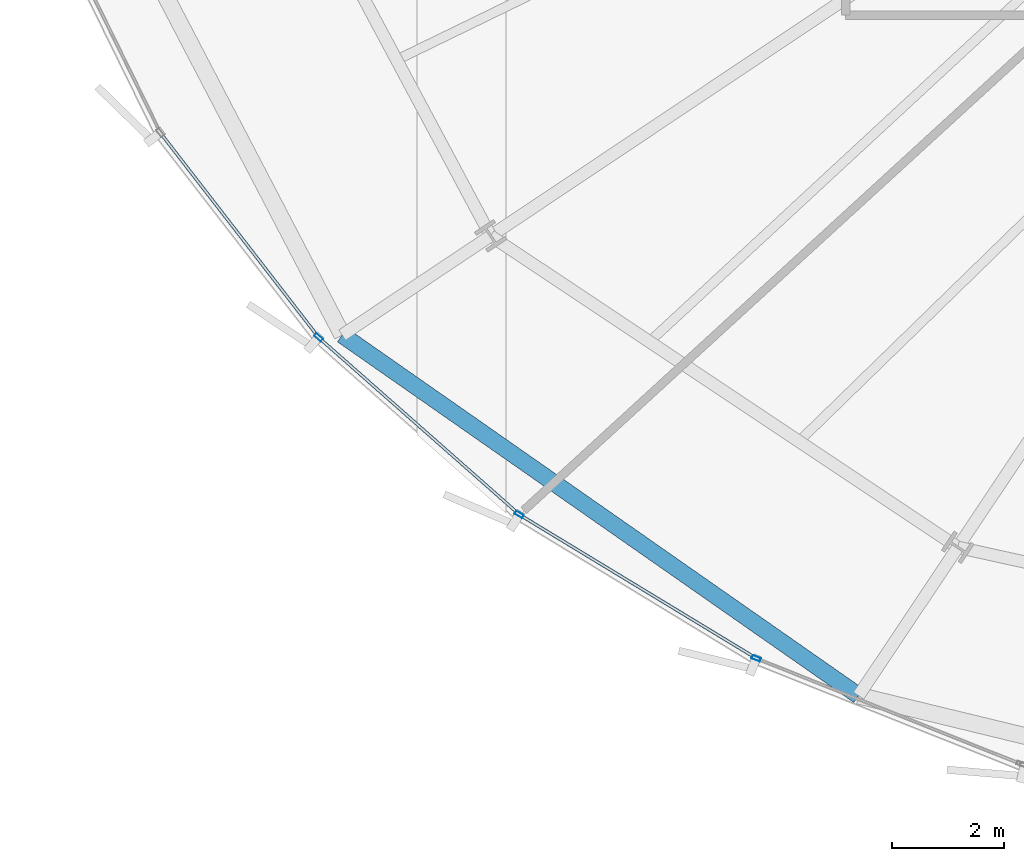
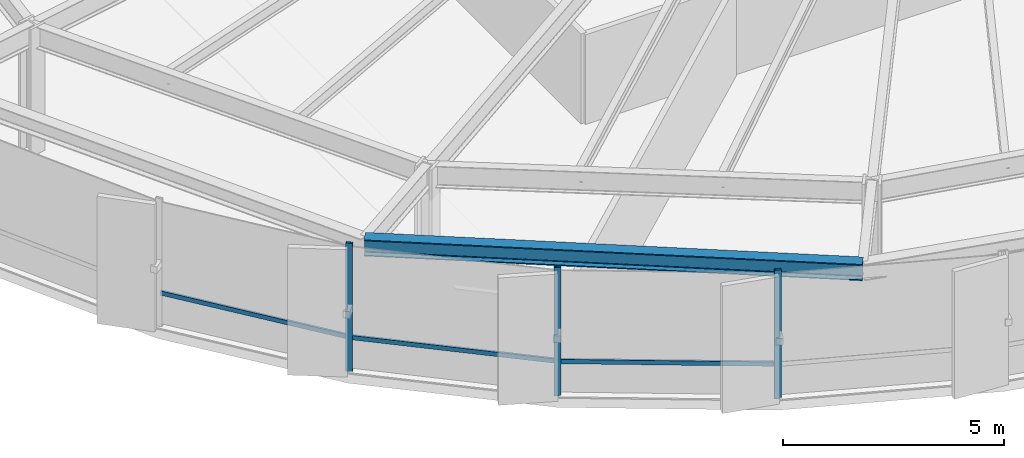
# One storey, part 2 of 38: 6 members, 1 beam, 1 element without a shape of its own.
"""IFC4 building model written with IfcOpenShell, lengths in metres."""

from ifc_helpers import new_model, si_unit, direction, frame, origin, origin_2d, place, context, subcontext, project, spatial, hollow_rectangle, i_section, extrude, source, transform, mapped, material, layer, layer_set, material_profile, profile_set, type_object, element, aggregate, save


model = new_model("IFC4")

# Units and contexts
model_context = context("Model", 3, precision=1e-05, world=origin(), true_north=direction((0.0, 1.0)))
body_context = subcontext(model_context, "Body", "Model", "MODEL_VIEW")
ifc_project = project(units=[si_unit("LENGTHUNIT", "METRE"), si_unit("AREAUNIT", "SQUARE_METRE"), si_unit("VOLUMEUNIT", "CUBIC_METRE"), si_unit("PLANEANGLEUNIT", "RADIAN"), si_unit("MASSUNIT", "GRAM", prefix="KILO"), si_unit("THERMODYNAMICTEMPERATUREUNIT", "KELVIN")], contexts=[model_context])

# Site, building, storey
site_placement = place(None, origin())
site = spatial("IfcSite", under=ifc_project, at=site_placement, CompositionType="ELEMENT")
building_placement = place(site_placement, origin())
building = spatial("IfcBuilding", under=site, at=building_placement, Name="Kethvar Cultural Tower", CompositionType="ELEMENT")
storey_placement = place(building_placement, frame((0.0, 0.0, 63.800048828125)))
storey = spatial("IfcBuildingStorey", under=building, at=storey_placement, Name="L15", CompositionType="ELEMENT", Elevation=63.800048828125)

# Beam
ifc_material_1 = material(Name="Steel S355J2", Category="steel")
ifc_material_profile_1 = material_profile(ifc_material_1, i_section(OverallWidth=0.300048828125, OverallDepth=0.449951171875, WebThickness=0.013916015625, FlangeThickness=0.02587890625, FilletRadius=0.027099609375, at=origin_2d()), Name="Steel S355J2 — HEB450")
ifc_profile_set_1 = profile_set([ifc_material_profile_1], Name="Steel S355J2 — HEB450")
beam_type = type_object("IfcBeamType", Name="BM-SP450", PredefinedType="SPANDREL", material=ifc_profile_set_1)
shared_shape_1 = source(origin(), body_context, "Body", "SweptSolid", [
    extrude(i_section(OverallWidth=0.300048828125, OverallDepth=0.449951171875, WebThickness=0.013916015625, FlangeThickness=0.02587890625, FilletRadius=0.027099609375, at=origin_2d()), origin(), (0.0, 0.0, 1.0), 11.295166015625),
])
beam_placement = place(storey_placement, frame((22.263916015625, 11.405517578125, 3.322998046875), z_axis=(0.819850874587, -0.572577106981, 0.0), x_axis=(0.572577106981, 0.819850874587, 0.0)))
element("IfcBeam", 1, at=beam_placement, inside=storey, type_object=beam_type, Name="L15 Perimeter Spandrel Beam SP-10", PredefinedType="SPANDREL", context=body_context, shape_type="MappedRepresentation", body=[
    mapped(shared_shape_1, transform((0.0, 0.0, 0.0), scale=1.0)),
])

# Curtain wall, members
ifc_material_2 = material(Name="Aluminium 6063-T6", Category="aluminium")
ifc_layer = layer(ifc_material_2, 0.179931640625, Name="Aluminium 6063-T6", Category="aluminium")
ifc_layer_set = layer_set([ifc_layer], Name="Aluminium 6063-T6 (180 mm)")
curtain_wall_type = type_object("IfcCurtainWallType", Name="CW-SYS-02-Z1", PredefinedType="NOTDEFINED", material=ifc_layer_set)
curtain_wall_placement = place(storey_placement, origin())
curtain_wall = element("IfcCurtainWall", 2, at=curtain_wall_placement, inside=storey, type_object=curtain_wall_type, Name="L15 Curtain Wall Run 04", PredefinedType="NOTDEFINED")
ifc_material_profile_2 = material_profile(ifc_material_2, hollow_rectangle(XDim=0.06494140625, YDim=0.159912109375, WallThickness=0.0048828125, at=origin_2d()), Name="Aluminium 6063-T6 — RHS160x65x5")
ifc_profile_set_2 = profile_set([ifc_material_profile_2], Name="Aluminium 6063-T6 — RHS160x65x5")
member_type_1 = type_object("IfcMemberType", Name="CW-SYS-02-Z1-MUL", PredefinedType="MULLION", material=ifc_profile_set_2)
shared_shape_2 = source(origin(), body_context, "Body", "SweptSolid", [
    extrude(hollow_rectangle(XDim=0.06494140625, YDim=0.159912109375, WallThickness=0.0048828125, at=origin_2d()), origin(), (0.0, 0.0, 1.0), 3.550048828125),
])
member_1_placement = place(storey_placement, frame((21.839111328125, 11.361328125, 0.0), z_axis=(0.0, 0.0, 1.0), x_axis=(0.661285681105, 0.750134153312, 0.0)))
member_1 = element("IfcMember", 3, at=member_1_placement, type_object=member_type_1, Name="CW-L15-R04 Mullion 4", PredefinedType="MULLION", context=body_context, shape_type="MappedRepresentation", body=[
    mapped(shared_shape_2, transform((0.0, 0.0, 0.0), scale=1.0)),
])
member_2_placement = place(storey_placement, frame((25.43798828125, 8.186279296875, 0.0), z_axis=(0.0, 0.0, 1.0), x_axis=(0.518683729154, 0.854966191794, 0.0)))
member_2 = element("IfcMember", 4, at=member_2_placement, type_object=member_type_1, Name="CW-L15-R04 Mullion 5", PredefinedType="MULLION", context=body_context, shape_type="MappedRepresentation", body=[
    mapped(shared_shape_2, transform((0.0, 0.0, 0.0), scale=1.0)),
])
member_3_placement = place(storey_placement, frame((29.6875, 5.6064453125, 0.0), z_axis=(0.0, 0.0, 1.0), x_axis=(0.370654700187, 0.928770743095, 0.0)))
member_3 = element("IfcMember", 5, at=member_3_placement, type_object=member_type_1, Name="CW-L15-R04 Mullion 6", PredefinedType="MULLION", context=body_context, shape_type="MappedRepresentation", body=[
    mapped(shared_shape_2, transform((0.0, 0.0, 0.0), scale=1.0)),
])
ifc_material_profile_3 = material_profile(ifc_material_2, hollow_rectangle(XDim=0.054931640625, YDim=0.1201171875, WallThickness=0.00390625, at=origin_2d()), Name="Aluminium 6063-T6 — RHS120x55x4")
ifc_profile_set_3 = profile_set([ifc_material_profile_3], Name="Aluminium 6063-T6 — RHS120x55x4")
member_type_2 = type_object("IfcMemberType", Name="CW-SYS-02-Z1-TRN", PredefinedType="USERDEFINED", material=ifc_profile_set_3)
shared_shape_3 = source(origin(), body_context, "Body", "SweptSolid", [
    extrude(hollow_rectangle(XDim=0.054931640625, YDim=0.1201171875, WallThickness=0.00390625, at=origin_2d()), origin(), (0.0, 0.0, 1.0), 4.726806640625),
])
member_4_placement = place(storey_placement, frame((21.874267578125, 11.33056640625, 0.949951171875), z_axis=(0.750104582771, -0.661319223149, 0.0), x_axis=(0.661319223149, 0.750104582771, 0.0)))
member_4 = element("IfcMember", 6, at=member_4_placement, type_object=member_type_2, Name="CW-L15-R04 Transom 4", ObjectType="TRANSOM", PredefinedType="USERDEFINED", context=body_context, shape_type="MappedRepresentation", body=[
    mapped(shared_shape_3, transform((0.0, 0.0, 0.0), scale=1.0)),
])
shared_shape_4 = source(origin(), body_context, "Body", "SweptSolid", [
    extrude(hollow_rectangle(XDim=0.054931640625, YDim=0.1201171875, WallThickness=0.00390625, at=origin_2d()), origin(), (0.0, 0.0, 1.0), 4.572265625),
])
member_5_placement = place(storey_placement, frame((19.02783203125, 14.997802734375, 0.949951171875), z_axis=(0.611986858555, -0.790867931425, 0.0), x_axis=(0.790867931425, 0.611986858555, 0.0)))
member_5 = element("IfcMember", 7, at=member_5_placement, type_object=member_type_2, Name="CW-L15-R04 Transom 3", ObjectType="TRANSOM", PredefinedType="USERDEFINED", context=body_context, shape_type="MappedRepresentation", body=[
    mapped(shared_shape_4, transform((0.0, 0.0, 0.0), scale=1.0)),
])
shared_shape_5 = source(origin(), body_context, "Body", "SweptSolid", [
    extrude(hollow_rectangle(XDim=0.054931640625, YDim=0.1201171875, WallThickness=0.00390625, at=origin_2d()), origin(), (0.0, 0.0, 1.0), 4.897216796875),
])
member_6_placement = place(storey_placement, frame((25.47802734375, 8.161865234375, 0.949951171875), z_axis=(0.854975440891, -0.518668483209, 0.0), x_axis=(0.518668483209, 0.854975440891, 0.0)))
member_6 = element("IfcMember", 8, at=member_6_placement, type_object=member_type_2, Name="CW-L15-R04 Transom 5", ObjectType="TRANSOM", PredefinedType="USERDEFINED", context=body_context, shape_type="MappedRepresentation", body=[
    mapped(shared_shape_5, transform((0.0, 0.0, 0.0), scale=1.0)),
])
aggregate(curtain_wall, [member_1, member_2, member_3, member_5, member_4, member_6])

save(model, "model.ifc")
